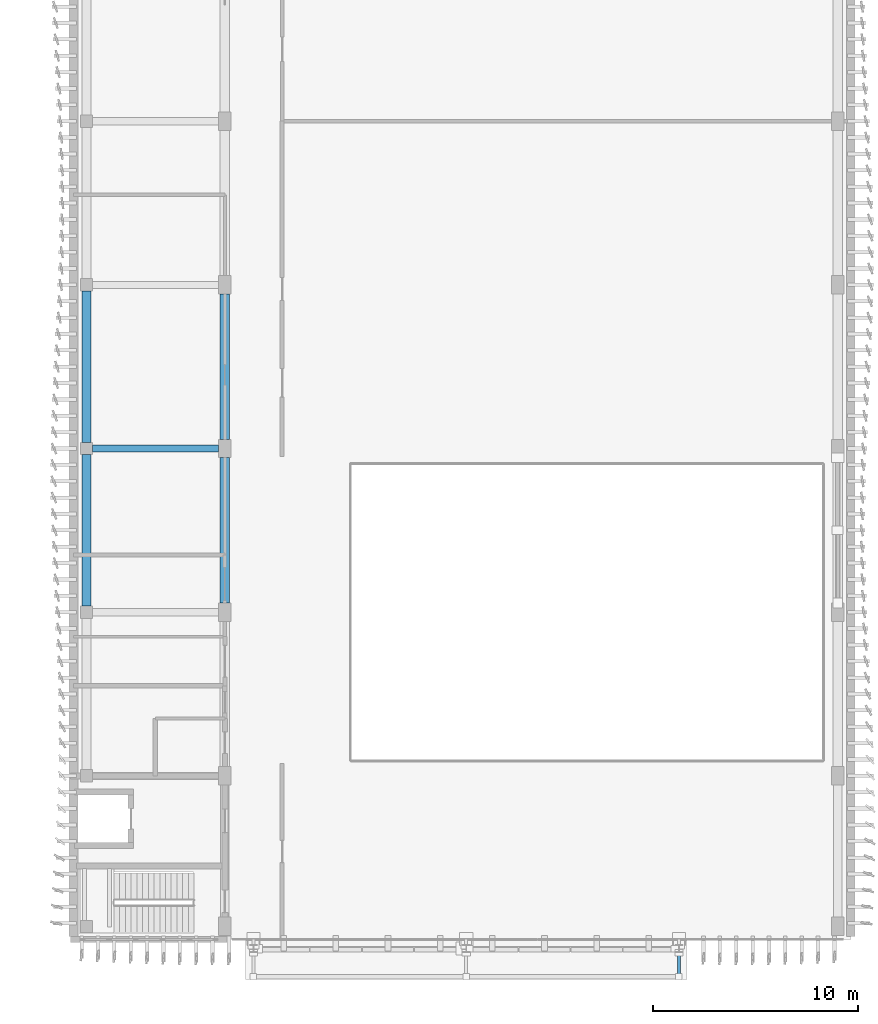
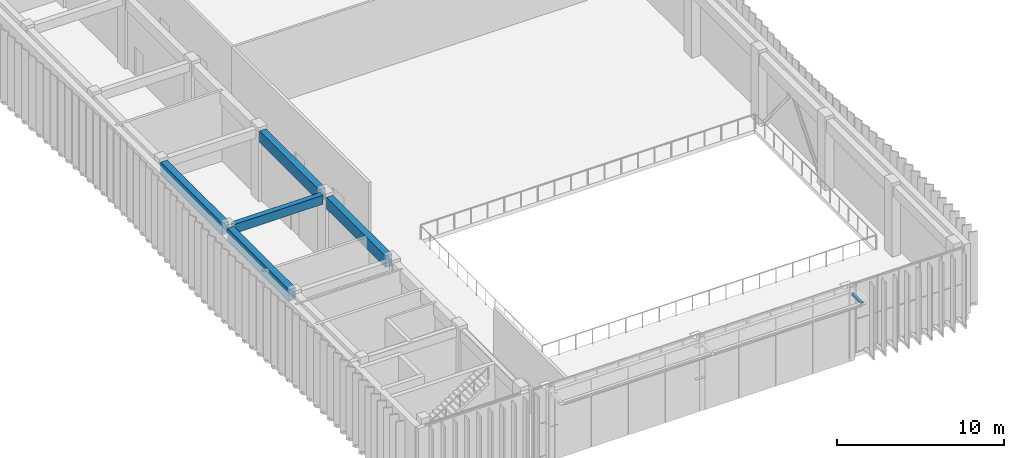
# One storey, part 6 of 64: 5 beams, 1 member.
"""IFC4 building model written with IfcOpenShell, lengths in metres."""

from ifc_helpers import new_model, si_unit, direction, frame, origin, origin_2d, place, context, subcontext, project, spatial, rectangle, hollow_rectangle, extrude, material, material_profile, profile_set, type_object, element, save


model = new_model("IFC4")

# Units and contexts
model_context = context("Model", 3, precision=1e-05, world=origin(), true_north=direction((0.0, 1.0)))
body_context = subcontext(model_context, "Body", "Model", "MODEL_VIEW")
ifc_project = project(units=[si_unit("LENGTHUNIT", "METRE"), si_unit("AREAUNIT", "SQUARE_METRE"), si_unit("VOLUMEUNIT", "CUBIC_METRE"), si_unit("PLANEANGLEUNIT", "RADIAN"), si_unit("MASSUNIT", "GRAM", prefix="KILO")], contexts=[model_context])

# Site, building, storey
site_placement = place(None, origin())
site = spatial("IfcSite", under=ifc_project, at=site_placement, CompositionType="ELEMENT")
building_placement = place(site_placement, origin())
building = spatial("IfcBuilding", under=site, at=building_placement, Name="Cinchona Park Media Centre", CompositionType="ELEMENT")
storey_placement = place(building_placement, frame((0.0, 0.0, 10.199951171875)))
storey = spatial("IfcBuildingStorey", under=building, at=storey_placement, Name="L02", CompositionType="ELEMENT", Elevation=10.199951171875)

# Beams
ifc_material_1 = material(Name="Concrete C35/45", Category="concrete")
ifc_material_profile_1 = material_profile(ifc_material_1, rectangle(XDim=0.449951171875, YDim=0.85009765625, at=origin_2d()), Name="RB 450X850")
ifc_profile_set_1 = profile_set([ifc_material_profile_1], Name="Concrete C35/45")
beam_type_1 = type_object("IfcBeamType", Name="BEAM-B02-RB450X850", PredefinedType="BEAM", material=ifc_profile_set_1)
for number, where, z_axis, x_axis, name in (
    (1, (8.639892578125, 23.89990234375, 4.735107421875), (0.0, 1.0, 0.0), (-1.0, 0.0, 0.0), "Girder B02 L02"),
    (2, (8.639892578125, 31.89990234375, 4.735107421875), (0.0, 1.0, 0.0), (-1.0, 0.0, 0.0), "Girder B02 L02"),
):
    element("IfcBeam", number, at=place(storey_placement, frame(where, z_axis=z_axis, x_axis=x_axis)), inside=storey, type_object=beam_type_1, Name=name, PredefinedType="BEAM", context=body_context, shape_type="SweptSolid", body=[
        extrude(rectangle(XDim=0.449951171875, YDim=0.85009765625, at=origin_2d()), origin(), (0.0, 0.0, 1.0), 7.400146484375),
    ])
for number, where, z_axis, x_axis, name in (
    (3, (15.39990234375, 24.050048828125, 4.735107421875), (0.0, 1.0, 0.0), (-1.0, 0.0, 0.0), "Girder B02 L02"),
    (4, (15.39990234375, 32.050048828125, 4.735107421875), (0.0, 1.0, 0.0), (-1.0, 0.0, 0.0), "Girder B02 L02"),
):
    element("IfcBeam", number, at=place(storey_placement, frame(where, z_axis=z_axis, x_axis=x_axis)), inside=storey, type_object=beam_type_1, Name=name, PredefinedType="BEAM", context=body_context, shape_type="SweptSolid", body=[
        extrude(rectangle(XDim=0.449951171875, YDim=0.85009765625, at=origin_2d()), origin(), (0.0, 0.0, 1.0), 7.099853515625),
    ])
ifc_material_2 = material(Name="Concrete C35/45", Category="concrete")
ifc_material_profile_2 = material_profile(ifc_material_2, rectangle(XDim=0.35009765625, YDim=0.64990234375, at=origin_2d()), Name="RB 350X650")
ifc_profile_set_2 = profile_set([ifc_material_profile_2], Name="Concrete C35/45")
beam_type_2 = type_object("IfcBeamType", Name="BEAM-B04-RB350X650", PredefinedType="BEAM", material=ifc_profile_set_2)
beam_placement = place(storey_placement, frame((8.93994140625, 31.60009765625, 4.8349609375), z_axis=(1.0, 0.0, 0.0), x_axis=(0.0, 1.0, 0.0)))
element("IfcBeam", 5, at=beam_placement, inside=storey, type_object=beam_type_2, Name="Beam B04 L02", PredefinedType="BEAM", context=body_context, shape_type="SweptSolid", body=[
    extrude(rectangle(XDim=0.35009765625, YDim=0.64990234375, at=origin_2d()), origin(), (0.0, 0.0, 1.0), 6.16015625),
])

# Member
ifc_material_3 = material(Name="Steel S355", Category="steel")
ifc_material_profile_3 = material_profile(ifc_material_3, hollow_rectangle(XDim=0.14990234375, YDim=0.14990234375, WallThickness=0.010009765625, at=origin_2d()), Name="150X150X10SHS")
ifc_profile_set_3 = profile_set([ifc_material_profile_3], Name="Steel S355")
member_type = type_object("IfcMemberType", Name="MEMBER-TS03-SHS150X150X10", PredefinedType="STRUT", material=ifc_profile_set_3)
member_placement = place(storey_placement, frame((37.60009765625, 5.780029296875, 4.925048828125), z_axis=(0.0, 1.0, 0.0), x_axis=(-1.0, 0.0, 0.0)))
element("IfcMember", 6, at=member_placement, inside=storey, type_object=member_type, Name="Screen Canopy Outrigger Strut TS03 L02", PredefinedType="STRUT", context=body_context, shape_type="SweptSolid", body=[
    extrude(hollow_rectangle(XDim=0.14990234375, YDim=0.14990234375, WallThickness=0.010009765625, at=origin_2d()), origin(), (0.0, 0.0, 1.0), 1.179931640625),
])

save(model, "model.ifc")
